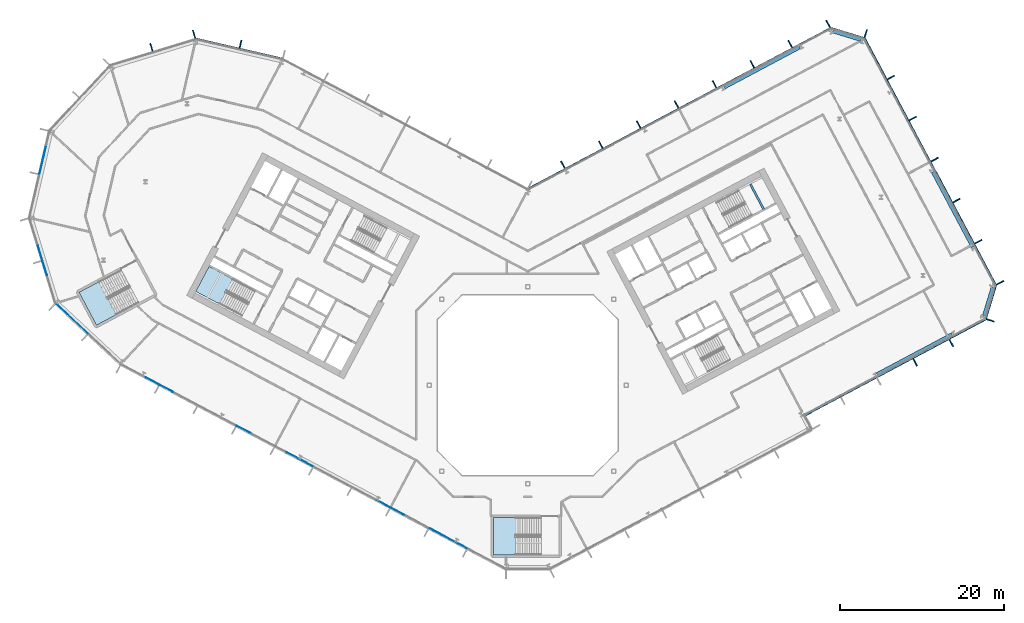
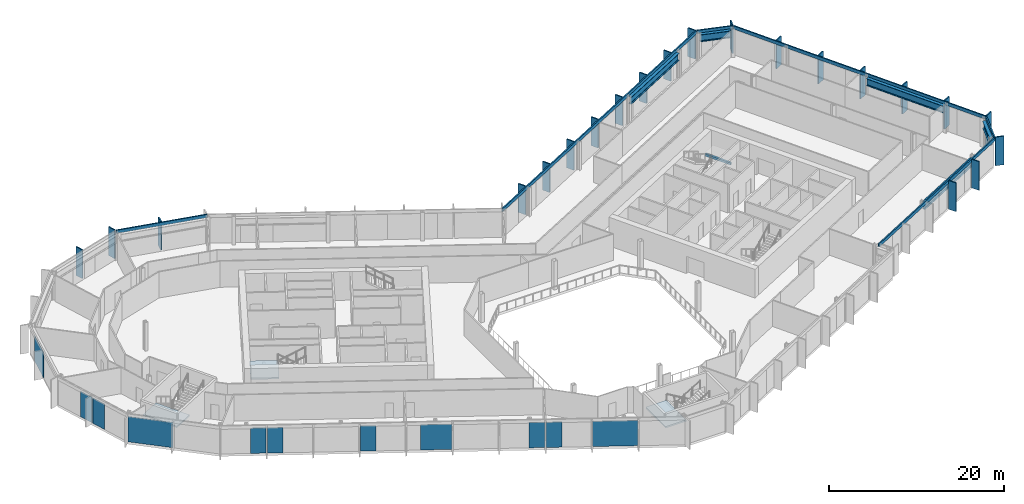
# One storey, part 10 of 28: 27 members, 11 plates, 6 beams, 3 slabs, 14 elements without a shape of their own.
"""IFC4 building model written with IfcOpenShell, lengths in metres."""

from ifc_helpers import new_model, si_unit, direction, frame, origin, origin_2d, place, context, subcontext, project, spatial, polyline, rectangle, i_section, outline, extrude, material, layer, layer_set, material_profile, profile_set, type_object, element, aggregate, save


model = new_model("IFC4")

# Units and contexts
model_context = context("Model", 3, precision=1e-05, world=origin(), true_north=direction((0.0, 1.0)))
body_context = subcontext(model_context, "Body", "Model", "MODEL_VIEW")
ifc_project = project(units=[si_unit("LENGTHUNIT", "METRE"), si_unit("AREAUNIT", "SQUARE_METRE"), si_unit("VOLUMEUNIT", "CUBIC_METRE"), si_unit("PLANEANGLEUNIT", "RADIAN"), si_unit("MASSUNIT", "GRAM", prefix="KILO")], contexts=[model_context])

# Site, building, storey
site_placement = place(None, origin())
site = spatial("IfcSite", under=ifc_project, at=site_placement, CompositionType="ELEMENT")
building_placement = place(site_placement, origin())
building = spatial("IfcBuilding", under=site, at=building_placement, Name="Cormorant Relay Tower", CompositionType="ELEMENT")
storey_placement = place(building_placement, frame((0.0, 0.0, 162.199951171875)))
storey = spatial("IfcBuildingStorey", under=building, at=storey_placement, Name="L34", CompositionType="ELEMENT", Elevation=162.199951171875)

# Curtain wall, members
ifc_material_1 = material(Name="Aluminium 6063-T6 anodised bronze", Category="aluminium")
ifc_layer_1 = layer(ifc_material_1, 0.199951171875)
ifc_layer_set_1 = layer_set([ifc_layer_1], Name="CW1 unitised bronze curtain wall with vertical fins")
curtain_wall_type = type_object("IfcCurtainWallType", Name="CW1 unitised bronze curtain wall with vertical fins", PredefinedType="NOTDEFINED", material=ifc_layer_set_1)
curtain_wall_1_placement = place(storey_placement, origin())
curtain_wall_1 = element("IfcCurtainWall", 1, at=curtain_wall_1_placement, inside=storey, type_object=curtain_wall_type, Name="CW1 curtain wall 4", PredefinedType="NOTDEFINED")
ifc_material_2 = material(Name="Aluminium 6063-T6 anodised bronze", Category="aluminium")
ifc_material_profile_1 = material_profile(ifc_material_2, rectangle(XDim=0.14990234375, YDim=1.0, at=origin_2d()), Name="AL 150x1000")
ifc_profile_set_1 = profile_set([ifc_material_profile_1], Name="Aluminium 6063-T6 anodised bronze")
member_type_1 = type_object("IfcMemberType", Name="CW1 bronze fin mullion 150 x 1000", PredefinedType="MULLION", material=ifc_profile_set_1)
member_1_placement = place(storey_placement, frame((47.21533203125, 2.793212890625, 0.0), z_axis=(0.0, 0.0, 1.0), x_axis=(0.882947592859, 0.469471562786, 0.0)))
member_1 = element("IfcMember", 2, at=member_1_placement, type_object=member_type_1, Name="CW1 fin 4.4", PredefinedType="MULLION", context=body_context, shape_type="SweptSolid", body=[
    extrude(rectangle(XDim=0.14990234375, YDim=1.0, at=origin_2d()), origin(), (0.0, 0.0, 1.0), 4.0),
])
member_2_placement = place(storey_placement, frame((51.630126953125, 5.140625, 0.0), z_axis=(0.0, 0.0, 1.0), x_axis=(0.882947592859, 0.469471562786, 0.0)))
member_2 = element("IfcMember", 3, at=member_2_placement, type_object=member_type_1, Name="CW1 fin 4.5", PredefinedType="MULLION", context=body_context, shape_type="SweptSolid", body=[
    extrude(rectangle(XDim=0.14990234375, YDim=1.0, at=origin_2d()), origin(), (0.0, 0.0, 1.0), 4.0),
])

# Curtain wall, member
curtain_wall_2_placement = place(storey_placement, origin())
curtain_wall_2 = element("IfcCurtainWall", 4, at=curtain_wall_2_placement, inside=storey, type_object=curtain_wall_type, Name="CW1 curtain wall 5", PredefinedType="NOTDEFINED")
member_3_placement = place(storey_placement, frame((56.385498046875, 7.9013671875, 0.0), z_axis=(0.0, 0.0, 1.0), x_axis=(0.292371704723, 0.956304755963, 0.0)))
member_3 = element("IfcMember", 5, at=member_3_placement, type_object=member_type_1, Name="CW1 fin 5.1", PredefinedType="MULLION", context=body_context, shape_type="SweptSolid", body=[
    extrude(rectangle(XDim=0.14990234375, YDim=1.0, at=origin_2d()), origin(), (0.0, 0.0, 1.0), 4.0),
])

# Curtain wall, members
curtain_wall_3_placement = place(storey_placement, origin())
curtain_wall_3 = element("IfcCurtainWall", 6, at=curtain_wall_3_placement, inside=storey, type_object=curtain_wall_type, Name="CW1 curtain wall 6", PredefinedType="NOTDEFINED")
member_4_placement = place(storey_placement, frame((57.57470703125, 12.491943359375, 0.0), z_axis=(0.0, 0.0, 1.0), x_axis=(-0.469471562786, 0.882947592859, 0.0)))
member_4 = element("IfcMember", 7, at=member_4_placement, type_object=member_type_1, Name="CW1 fin 6.1", PredefinedType="MULLION", context=body_context, shape_type="SweptSolid", body=[
    extrude(rectangle(XDim=0.14990234375, YDim=1.0, at=origin_2d()), origin(), (0.0, 0.0, 1.0), 4.0),
])
member_5_placement = place(storey_placement, frame((54.914306640625, 17.4951171875, 0.0), z_axis=(0.0, 0.0, 1.0), x_axis=(-0.469471562786, 0.882947592859, 0.0)))
member_5 = element("IfcMember", 8, at=member_5_placement, type_object=member_type_1, Name="CW1 fin 6.2", PredefinedType="MULLION", context=body_context, shape_type="SweptSolid", body=[
    extrude(rectangle(XDim=0.14990234375, YDim=1.0, at=origin_2d()), origin(), (0.0, 0.0, 1.0), 4.0),
])
member_6_placement = place(storey_placement, frame((52.25390625, 22.49853515625, 0.0), z_axis=(0.0, 0.0, 1.0), x_axis=(-0.469471562786, 0.882947592859, 0.0)))
member_6 = element("IfcMember", 9, at=member_6_placement, type_object=member_type_1, Name="CW1 fin 6.3", PredefinedType="MULLION", context=body_context, shape_type="SweptSolid", body=[
    extrude(rectangle(XDim=0.14990234375, YDim=1.0, at=origin_2d()), origin(), (0.0, 0.0, 1.0), 4.0),
])
member_7_placement = place(storey_placement, frame((49.59375, 27.501953125, 0.0), z_axis=(0.0, 0.0, 1.0), x_axis=(-0.469471562786, 0.882947592859, 0.0)))
member_7 = element("IfcMember", 10, at=member_7_placement, type_object=member_type_1, Name="CW1 fin 6.4", PredefinedType="MULLION", context=body_context, shape_type="SweptSolid", body=[
    extrude(rectangle(XDim=0.14990234375, YDim=1.0, at=origin_2d()), origin(), (0.0, 0.0, 1.0), 4.0),
])
member_8_placement = place(storey_placement, frame((46.933349609375, 32.50537109375, 0.0), z_axis=(0.0, 0.0, 1.0), x_axis=(-0.469471562786, 0.882947592859, 0.0)))
member_8 = element("IfcMember", 11, at=member_8_placement, type_object=member_type_1, Name="CW1 fin 6.5", PredefinedType="MULLION", context=body_context, shape_type="SweptSolid", body=[
    extrude(rectangle(XDim=0.14990234375, YDim=1.0, at=origin_2d()), origin(), (0.0, 0.0, 1.0), 4.0),
])
member_9_placement = place(storey_placement, frame((44.27294921875, 37.5087890625, 0.0), z_axis=(0.0, 0.0, 1.0), x_axis=(-0.469471562786, 0.882947592859, 0.0)))
member_9 = element("IfcMember", 12, at=member_9_placement, type_object=member_type_1, Name="CW1 fin 6.6", PredefinedType="MULLION", context=body_context, shape_type="SweptSolid", body=[
    extrude(rectangle(XDim=0.14990234375, YDim=1.0, at=origin_2d()), origin(), (0.0, 0.0, 1.0), 4.0),
])

# Curtain wall, member
curtain_wall_4_placement = place(storey_placement, origin())
curtain_wall_4 = element("IfcCurtainWall", 13, at=curtain_wall_4_placement, inside=storey, type_object=curtain_wall_type, Name="CW1 curtain wall 7", PredefinedType="NOTDEFINED")
member_10_placement = place(storey_placement, frame((41.19921875, 42.852783203125, 0.0), z_axis=(0.0, 0.0, 1.0), x_axis=(-0.956304755963, 0.292371704723, 0.0)))
member_10 = element("IfcMember", 14, at=member_10_placement, type_object=member_type_1, Name="CW1 fin 7.1", PredefinedType="MULLION", context=body_context, shape_type="SweptSolid", body=[
    extrude(rectangle(XDim=0.14990234375, YDim=1.0, at=origin_2d()), origin(), (0.0, 0.0, 1.0), 4.0),
])

# Curtain wall, members
curtain_wall_5_placement = place(storey_placement, origin())
curtain_wall_5 = element("IfcCurtainWall", 15, at=curtain_wall_5_placement, inside=storey, type_object=curtain_wall_type, Name="CW1 curtain wall 8", PredefinedType="NOTDEFINED")
member_11_placement = place(storey_placement, frame((36.608642578125, 44.0419921875, 0.0), z_axis=(0.0, 0.0, 1.0), x_axis=(-0.882947592859, -0.469471562786, 0.0)))
member_11 = element("IfcMember", 16, at=member_11_placement, type_object=member_type_1, Name="CW1 fin 8.1", PredefinedType="MULLION", context=body_context, shape_type="SweptSolid", body=[
    extrude(rectangle(XDim=0.14990234375, YDim=1.0, at=origin_2d()), origin(), (0.0, 0.0, 1.0), 4.0),
])
member_12_placement = place(storey_placement, frame((31.991455078125, 41.5869140625, 0.0), z_axis=(0.0, 0.0, 1.0), x_axis=(-0.882947592859, -0.469471562786, 0.0)))
member_12 = element("IfcMember", 17, at=member_12_placement, type_object=member_type_1, Name="CW1 fin 8.2", PredefinedType="MULLION", context=body_context, shape_type="SweptSolid", body=[
    extrude(rectangle(XDim=0.14990234375, YDim=1.0, at=origin_2d()), origin(), (0.0, 0.0, 1.0), 4.0),
])
member_13_placement = place(storey_placement, frame((27.37451171875, 39.132080078125, 0.0), z_axis=(0.0, 0.0, 1.0), x_axis=(-0.882947592859, -0.469471562786, 0.0)))
member_13 = element("IfcMember", 18, at=member_13_placement, type_object=member_type_1, Name="CW1 fin 8.3", PredefinedType="MULLION", context=body_context, shape_type="SweptSolid", body=[
    extrude(rectangle(XDim=0.14990234375, YDim=1.0, at=origin_2d()), origin(), (0.0, 0.0, 1.0), 4.0),
])
member_14_placement = place(storey_placement, frame((22.757080078125, 36.677001953125, 0.0), z_axis=(0.0, 0.0, 1.0), x_axis=(-0.882947592859, -0.469471562786, 0.0)))
member_14 = element("IfcMember", 19, at=member_14_placement, type_object=member_type_1, Name="CW1 fin 8.4", PredefinedType="MULLION", context=body_context, shape_type="SweptSolid", body=[
    extrude(rectangle(XDim=0.14990234375, YDim=1.0, at=origin_2d()), origin(), (0.0, 0.0, 1.0), 4.0),
])
member_15_placement = place(storey_placement, frame((18.139892578125, 34.221923828125, 0.0), z_axis=(0.0, 0.0, 1.0), x_axis=(-0.882947592859, -0.469471562786, 0.0)))
member_15 = element("IfcMember", 20, at=member_15_placement, type_object=member_type_1, Name="CW1 fin 8.5", PredefinedType="MULLION", context=body_context, shape_type="SweptSolid", body=[
    extrude(rectangle(XDim=0.14990234375, YDim=1.0, at=origin_2d()), origin(), (0.0, 0.0, 1.0), 4.0),
])
member_16_placement = place(storey_placement, frame((13.52294921875, 31.76708984375, 0.0), z_axis=(0.0, 0.0, 1.0), x_axis=(-0.882947592859, -0.469471562786, 0.0)))
member_16 = element("IfcMember", 21, at=member_16_placement, type_object=member_type_1, Name="CW1 fin 8.6", PredefinedType="MULLION", context=body_context, shape_type="SweptSolid", body=[
    extrude(rectangle(XDim=0.14990234375, YDim=1.0, at=origin_2d()), origin(), (0.0, 0.0, 1.0), 4.0),
])
member_17_placement = place(storey_placement, frame((8.90576171875, 29.31201171875, 0.0), z_axis=(0.0, 0.0, 1.0), x_axis=(-0.882947592859, -0.469471562786, 0.0)))
member_17 = element("IfcMember", 22, at=member_17_placement, type_object=member_type_1, Name="CW1 fin 8.7", PredefinedType="MULLION", context=body_context, shape_type="SweptSolid", body=[
    extrude(rectangle(XDim=0.14990234375, YDim=1.0, at=origin_2d()), origin(), (0.0, 0.0, 1.0), 4.0),
])
member_18_placement = place(storey_placement, frame((4.28857421875, 26.85693359375, 0.0), z_axis=(0.0, 0.0, 1.0), x_axis=(-0.882947592859, -0.469471562786, 0.0)))
member_18 = element("IfcMember", 23, at=member_18_placement, type_object=member_type_1, Name="CW1 fin 8.8", PredefinedType="MULLION", context=body_context, shape_type="SweptSolid", body=[
    extrude(rectangle(XDim=0.14990234375, YDim=1.0, at=origin_2d()), origin(), (0.0, 0.0, 1.0), 4.0),
])

# Curtain wall, member
curtain_wall_6_placement = place(storey_placement, origin())
curtain_wall_6 = element("IfcCurtainWall", 24, at=curtain_wall_6_placement, inside=storey, type_object=curtain_wall_type, Name="CW1 curtain wall 10", PredefinedType="NOTDEFINED")
member_19_placement = place(storey_placement, frame((-35.01220703125, 41.57275390625, 0.0), z_axis=(0.0, 0.0, 1.0), x_axis=(-0.974370064785, 0.224951054344, 0.0)))
member_19 = element("IfcMember", 25, at=member_19_placement, type_object=member_type_1, Name="CW1 fin 10.2", PredefinedType="MULLION", context=body_context, shape_type="SweptSolid", body=[
    extrude(rectangle(XDim=0.14990234375, YDim=1.0, at=origin_2d()), origin(), (0.0, 0.0, 1.0), 4.0),
])

# Curtain wall, members
curtain_wall_7_placement = place(storey_placement, origin())
curtain_wall_7 = element("IfcCurtainWall", 26, at=curtain_wall_7_placement, inside=storey, type_object=curtain_wall_type, Name="CW1 curtain wall 11", PredefinedType="NOTDEFINED")
member_20_placement = place(storey_placement, frame((-40.670166015625, 42.78271484375, 0.0), z_axis=(0.0, 0.0, 1.0), x_axis=(-0.956304755963, -0.292371704723, 0.0)))
member_20 = element("IfcMember", 27, at=member_20_placement, type_object=member_type_1, Name="CW1 fin 11.1", PredefinedType="MULLION", context=body_context, shape_type="SweptSolid", body=[
    extrude(rectangle(XDim=0.14990234375, YDim=1.0, at=origin_2d()), origin(), (0.0, 0.0, 1.0), 4.0),
])
member_21_placement = place(storey_placement, frame((-45.867919921875, 41.193603515625, 0.0), z_axis=(0.0, 0.0, 1.0), x_axis=(-0.956304755963, -0.292371704723, 0.0)))
member_21 = element("IfcMember", 28, at=member_21_placement, type_object=member_type_1, Name="CW1 fin 11.2", PredefinedType="MULLION", context=body_context, shape_type="SweptSolid", body=[
    extrude(rectangle(XDim=0.14990234375, YDim=1.0, at=origin_2d()), origin(), (0.0, 0.0, 1.0), 4.0),
])
aggregate(curtain_wall_7, [member_20, member_21])

# Member
ifc_material_3 = material(Name="Aluminium 6063-T6 anodised bronze", Category="aluminium")
ifc_material_profile_2 = material_profile(ifc_material_3, rectangle(XDim=0.159912109375, YDim=0.449951171875, at=origin_2d()), Name="AL 160x450")
ifc_profile_set_2 = profile_set([ifc_material_profile_2], Name="Aluminium 6063-T6 anodised bronze")
member_type_2 = type_object("IfcMemberType", Name="CW1 bronze transom 160 x 450", PredefinedType="USERDEFINED", material=ifc_profile_set_2)
member_22_placement = place(storey_placement, frame((33.69873046875, -3.73681640625, 3.775146484375), z_axis=(0.88294749795, 0.469471741284, 0.0), x_axis=(-0.469471741284, 0.88294749795, 0.0)))
member_22 = element("IfcMember", 29, at=member_22_placement, type_object=member_type_2, Name="CW1 transom 4", ObjectType="TRANSOM", PredefinedType="USERDEFINED", context=body_context, shape_type="SweptSolid", body=[
    extrude(rectangle(XDim=0.159912109375, YDim=0.449951171875, at=origin_2d()), origin(), (0.0, 0.0, 1.0), 25.0),
])

aggregate(curtain_wall_1, [member_1, member_2, member_22])

member_23_placement = place(storey_placement, frame((55.830810546875, 8.07080078125, 3.775146484375), z_axis=(0.292374957137, 0.956303761594, 0.0), x_axis=(-0.956303761594, 0.292374957137, 0.0)))
member_23 = element("IfcMember", 30, at=member_23_placement, type_object=member_type_2, Name="CW1 transom 5", ObjectType="TRANSOM", PredefinedType="USERDEFINED", context=body_context, shape_type="SweptSolid", body=[
    extrude(rectangle(XDim=0.159912109375, YDim=0.449951171875, at=origin_2d()), origin(), (0.0, 0.0, 1.0), 4.24267578125),
])

aggregate(curtain_wall_2, [member_3, member_23])

member_24_placement = place(storey_placement, frame((57.0625, 12.219482421875, 3.775146484375), z_axis=(-0.469468277635, 0.882949339597, 0.0), x_axis=(-0.882949339597, -0.469468277635, 0.0)))
member_24 = element("IfcMember", 31, at=member_24_placement, type_object=member_type_2, Name="CW1 transom 6", ObjectType="TRANSOM", PredefinedType="USERDEFINED", context=body_context, shape_type="SweptSolid", body=[
    extrude(rectangle(XDim=0.159912109375, YDim=0.449951171875, at=origin_2d()), origin(), (0.0, 0.0, 1.0), 34.0),
])

aggregate(curtain_wall_3, [member_4, member_5, member_6, member_7, member_8, member_9, member_24])

member_25_placement = place(storey_placement, frame((41.02978515625, 42.298095703125, 3.775146484375), z_axis=(-0.956303761594, 0.292374957137, 0.0), x_axis=(-0.292374957137, -0.956303761594, 0.0)))
member_25 = element("IfcMember", 32, at=member_25_placement, type_object=member_type_2, Name="CW1 transom 7", ObjectType="TRANSOM", PredefinedType="USERDEFINED", context=body_context, shape_type="SweptSolid", body=[
    extrude(rectangle(XDim=0.159912109375, YDim=0.449951171875, at=origin_2d()), origin(), (0.0, 0.0, 1.0), 4.24267578125),
])

aggregate(curtain_wall_4, [member_10, member_25])

member_26_placement = place(storey_placement, frame((36.881103515625, 43.52978515625, 3.775146484375), z_axis=(-0.88294882701, -0.469469241677, 0.0), x_axis=(0.469469241677, -0.88294882701, 0.0)))
member_26 = element("IfcMember", 33, at=member_26_placement, type_object=member_type_2, Name="CW1 transom 8", ObjectType="TRANSOM", PredefinedType="USERDEFINED", context=body_context, shape_type="SweptSolid", body=[
    extrude(rectangle(XDim=0.159912109375, YDim=0.449951171875, at=origin_2d()), origin(), (0.0, 0.0, 1.0), 41.834228515625),
])

aggregate(curtain_wall_5, [member_11, member_12, member_13, member_14, member_15, member_16, member_17, member_18, member_26])

member_27_placement = place(storey_placement, frame((-29.8466796875, 39.784912109375, 3.775146484375), z_axis=(-0.974365070969, 0.224972683844, 0.0), x_axis=(-0.224972683844, -0.974365070969, 0.0)))
member_27 = element("IfcMember", 34, at=member_27_placement, type_object=member_type_2, Name="CW1 transom 10", ObjectType="TRANSOM", PredefinedType="USERDEFINED", context=body_context, shape_type="SweptSolid", body=[
    extrude(rectangle(XDim=0.159912109375, YDim=0.449951171875, at=origin_2d()), origin(), (0.0, 0.0, 1.0), 10.870361328125),
])

aggregate(curtain_wall_6, [member_19, member_27])

# Beams
ifc_material_4 = material(Name="Steel ASTM A992 (Fy 345 MPa)", Category="steel")
ifc_material_profile_3 = material_profile(ifc_material_4, i_section(OverallWidth=0.4013671875, OverallDepth=1.000732421875, WebThickness=0.01904296875, FlangeThickness=0.0361328125, FilletRadius=0.02978515625, at=origin_2d()), Name="W1000x371")
ifc_profile_set_3 = profile_set([ifc_material_profile_3], Name="Steel ASTM A992 (Fy 345 MPa)")
beam_type_1 = type_object("IfcBeamType", Name="Spandrel W1000x371", PredefinedType="SPANDREL", material=ifc_profile_set_3)
beam_1_placement = place(storey_placement, frame((42.5595703125, 1.337890625, 3.1396484375), z_axis=(0.882955922346, 0.469455896963, 0.0), x_axis=(-0.469455896963, 0.882955922346, 0.0)))
element("IfcBeam", 35, at=beam_1_placement, inside=storey, type_object=beam_type_1, Name="Spandrel beam L34-004", PredefinedType="SPANDREL", context=body_context, shape_type="SweptSolid", body=[
    extrude(i_section(OverallWidth=0.4013671875, OverallDepth=1.000732421875, WebThickness=0.01904296875, FlangeThickness=0.0361328125, FilletRadius=0.02978515625, at=origin_2d()), origin(), (0.0, 0.0, 1.0), 10.388427734375),
])
beam_2_placement = place(storey_placement, frame((55.62548828125, 8.495849609375, 3.1396484375), z_axis=(0.29237248799, 0.956304516494, 0.0), x_axis=(-0.956304516494, 0.29237248799, 0.0)))
element("IfcBeam", 36, at=beam_2_placement, inside=storey, type_object=beam_type_1, Name="Spandrel beam L34-005", PredefinedType="SPANDREL", context=body_context, shape_type="SweptSolid", body=[
    extrude(i_section(OverallWidth=0.4013671875, OverallDepth=1.000732421875, WebThickness=0.01904296875, FlangeThickness=0.0361328125, FilletRadius=0.02978515625, at=origin_2d()), origin(), (0.0, 0.0, 1.0), 3.585693359375),
])
beam_3_placement = place(storey_placement, frame((54.24169921875, 16.841796875, 3.1396484375), z_axis=(-0.469474218299, 0.882946180893, 0.0), x_axis=(-0.882946180893, -0.469474218299, 0.0)))
element("IfcBeam", 37, at=beam_3_placement, inside=storey, type_object=beam_type_1, Name="Spandrel beam L34-006", PredefinedType="SPANDREL", context=body_context, shape_type="SweptSolid", body=[
    extrude(i_section(OverallWidth=0.4013671875, OverallDepth=1.000732421875, WebThickness=0.01904296875, FlangeThickness=0.0361328125, FilletRadius=0.02978515625, at=origin_2d()), origin(), (0.0, 0.0, 1.0), 10.388671875),
])
beam_4_placement = place(storey_placement, frame((40.605224609375, 42.0927734375, 3.1396484375), z_axis=(-0.956311914022, 0.292348290742, 0.0), x_axis=(-0.292348290742, -0.956311914022, 0.0)))
element("IfcBeam", 38, at=beam_4_placement, inside=storey, type_object=beam_type_1, Name="Spandrel beam L34-007", PredefinedType="SPANDREL", context=body_context, shape_type="SweptSolid", body=[
    extrude(i_section(OverallWidth=0.4013671875, OverallDepth=1.000732421875, WebThickness=0.01904296875, FlangeThickness=0.0361328125, FilletRadius=0.02978515625, at=origin_2d()), origin(), (0.0, 0.0, 1.0), 3.585205078125),
])
beam_5_placement = place(storey_placement, frame((33.141357421875, 41.17822265625, 3.1396484375), z_axis=(-0.882955922346, -0.469455896963, 0.0), x_axis=(0.469455896963, -0.882955922346, 0.0)))
element("IfcBeam", 39, at=beam_5_placement, inside=storey, type_object=beam_type_1, Name="Spandrel beam L34-008", PredefinedType="SPANDREL", context=body_context, shape_type="SweptSolid", body=[
    extrude(i_section(OverallWidth=0.4013671875, OverallDepth=1.000732421875, WebThickness=0.01904296875, FlangeThickness=0.0361328125, FilletRadius=0.02978515625, at=origin_2d()), origin(), (0.0, 0.0, 1.0), 10.388427734375),
])
ifc_material_5 = material(Name="Concrete 50 MPa", Category="concrete")
ifc_material_profile_4 = material_profile(ifc_material_5, rectangle(XDim=0.25, YDim=0.300048828125, at=origin_2d()), Name="RC 250x300")
ifc_profile_set_4 = profile_set([ifc_material_profile_4], Name="Concrete 50 MPa")
beam_type_2 = type_object("IfcBeamType", Name="Stair landing ledge beam 250x300", PredefinedType="BEAM", material=ifc_profile_set_4)
beam_6_placement = place(storey_placement, frame((28.755126953125, 21.4619140625, 1.650146484375), z_axis=(-0.469463917486, 0.882951657895, 0.0), x_axis=(-0.882951657895, -0.469463917486, 0.0)))
element("IfcBeam", 40, at=beam_6_placement, inside=storey, type_object=beam_type_2, Name="B2 landing ledge beam", PredefinedType="BEAM", context=body_context, shape_type="SweptSolid", body=[
    extrude(rectangle(XDim=0.25, YDim=0.300048828125, at=origin_2d()), origin(), (0.0, 0.0, 1.0), 3.449951171875),
])

# Curtain wall, plates
curtain_wall_8_placement = place(storey_placement, origin())
curtain_wall_8 = element("IfcCurtainWall", 41, at=curtain_wall_8_placement, inside=storey, type_object=curtain_wall_type, Name="CW1 curtain wall 14", PredefinedType="NOTDEFINED")
ifc_material_6 = material(Name="Tinted laminated glass", Category="glass")
ifc_layer_2 = layer(ifc_material_6, 0.0400390625)
ifc_layer_set_2 = layer_set([ifc_layer_2], Name="CW1 tinted vision panel 1800 module")
plate_type_1 = type_object("IfcPlateType", Name="CW1 tinted vision panel 1800 module", PredefinedType="CURTAIN_PANEL", material=ifc_layer_set_2)
plate_1_placement = place(storey_placement, frame((-59.434814453125, 16.122314453125, 0.0), z_axis=(0.0, 0.0, 1.0), x_axis=(0.292371704723, -0.956304755963, 0.0)))
plate_1 = element("IfcPlate", 42, at=plate_1_placement, type_object=plate_type_1, Name="CW1 panel V01", PredefinedType="CURTAIN_PANEL", context=body_context, shape_type="SweptSolid", body=[
    extrude(rectangle(XDim=1.800048828125, YDim=0.0400390625, at=origin_2d()), origin(), (0.0, 0.0, 1.0), 3.550048828125),
])
plate_2_placement = place(storey_placement, frame((-58.86474609375, 14.25732421875, 0.0), z_axis=(0.0, 0.0, 1.0), x_axis=(0.292371704723, -0.956304755963, 0.0)))
plate_2 = element("IfcPlate", 43, at=plate_2_placement, type_object=plate_type_1, Name="CW1 panel V02", PredefinedType="CURTAIN_PANEL", context=body_context, shape_type="SweptSolid", body=[
    extrude(rectangle(XDim=1.800048828125, YDim=0.0400390625, at=origin_2d()), origin(), (0.0, 0.0, 1.0), 3.550048828125),
])
aggregate(curtain_wall_8, [plate_1, plate_2])

curtain_wall_9_placement = place(storey_placement, origin())
curtain_wall_9 = element("IfcCurtainWall", 44, at=curtain_wall_9_placement, inside=storey, type_object=curtain_wall_type, Name="CW1 curtain wall 16", PredefinedType="NOTDEFINED")
plate_3_placement = place(storey_placement, frame((-45.767578125, 0.5283203125, 0.0), z_axis=(0.0, 0.0, 1.0), x_axis=(0.882947592859, -0.469471562786, 0.0)))
plate_3 = element("IfcPlate", 45, at=plate_3_placement, type_object=plate_type_1, Name="CW1 panel V01", PredefinedType="CURTAIN_PANEL", context=body_context, shape_type="SweptSolid", body=[
    extrude(rectangle(XDim=1.800048828125, YDim=0.0400390625, at=origin_2d()), origin(), (0.0, 0.0, 1.0), 3.550048828125),
])
plate_4_placement = place(storey_placement, frame((-44.0458984375, -0.38720703125, 0.0), z_axis=(0.0, 0.0, 1.0), x_axis=(0.882947592859, -0.469471562786, 0.0)))
plate_4 = element("IfcPlate", 46, at=plate_4_placement, type_object=plate_type_1, Name="CW1 panel V02", PredefinedType="CURTAIN_PANEL", context=body_context, shape_type="SweptSolid", body=[
    extrude(rectangle(XDim=1.800048828125, YDim=0.0400390625, at=origin_2d()), origin(), (0.0, 0.0, 1.0), 3.550048828125),
])
plate_5_placement = place(storey_placement, frame((-34.6572265625, -5.37890625, 0.0), z_axis=(0.0, 0.0, 1.0), x_axis=(0.882947592859, -0.469471562786, 0.0)))
plate_5 = element("IfcPlate", 47, at=plate_5_placement, type_object=plate_type_1, Name="CW1 panel V04", PredefinedType="CURTAIN_PANEL", context=body_context, shape_type="SweptSolid", body=[
    extrude(rectangle(XDim=1.800048828125, YDim=0.0400390625, at=origin_2d()), origin(), (0.0, 0.0, 1.0), 3.550048828125),
])
plate_6_placement = place(storey_placement, frame((-17.601806640625, -14.447509765625, 0.0), z_axis=(0.0, 0.0, 1.0), x_axis=(0.882947592859, -0.469471562786, 0.0)))
plate_6 = element("IfcPlate", 48, at=plate_6_placement, type_object=plate_type_1, Name="CW1 panel V08", PredefinedType="CURTAIN_PANEL", context=body_context, shape_type="SweptSolid", body=[
    extrude(rectangle(XDim=1.800048828125, YDim=0.0400390625, at=origin_2d()), origin(), (0.0, 0.0, 1.0), 3.550048828125),
])
plate_7_placement = place(storey_placement, frame((-15.880126953125, -15.363037109375, 0.0), z_axis=(0.0, 0.0, 1.0), x_axis=(0.882947592859, -0.469471562786, 0.0)))
plate_7 = element("IfcPlate", 49, at=plate_7_placement, type_object=plate_type_1, Name="CW1 panel V09", PredefinedType="CURTAIN_PANEL", context=body_context, shape_type="SweptSolid", body=[
    extrude(rectangle(XDim=1.800048828125, YDim=0.0400390625, at=origin_2d()), origin(), (0.0, 0.0, 1.0), 3.550048828125),
])

# Curtain wall, plate
curtain_wall_10_placement = place(storey_placement, origin())
curtain_wall_10 = element("IfcCurtainWall", 50, at=curtain_wall_10_placement, inside=storey, type_object=curtain_wall_type, Name="CW1 curtain wall 13", PredefinedType="NOTDEFINED")
ifc_material_7 = material(Name="Tinted laminated glass", Category="glass")
ifc_layer_3 = layer(ifc_material_7, 0.0400390625)
ifc_layer_set_3 = layer_set([ifc_layer_3], Name="CW1 tinted vision panel 3600 module")
plate_type_2 = type_object("IfcPlateType", Name="CW1 tinted vision panel 3600 module", PredefinedType="CURTAIN_PANEL", material=ifc_layer_set_3)
plate_8_placement = place(storey_placement, frame((-59.094970703125, 27.520751953125, 0.0), z_axis=(0.0, 0.0, 1.0), x_axis=(-0.224951054344, -0.974370064785, 0.0)))
plate_8 = element("IfcPlate", 51, at=plate_8_placement, type_object=plate_type_2, Name="CW1 panel V01", PredefinedType="CURTAIN_PANEL", context=body_context, shape_type="SweptSolid", body=[
    extrude(rectangle(XDim=3.60009765625, YDim=0.0400390625, at=origin_2d()), origin(), (0.0, 0.0, 1.0), 3.550048828125),
])
aggregate(curtain_wall_10, [plate_8])

# Plate
plate_9_placement = place(storey_placement, frame((-27.78515625, -9.032958984375, 0.0), z_axis=(0.0, 0.0, 1.0), x_axis=(0.882947592859, -0.469471562786, 0.0)))
plate_9 = element("IfcPlate", 52, at=plate_9_placement, type_object=plate_type_2, Name="CW1 panel V06", PredefinedType="CURTAIN_PANEL", context=body_context, shape_type="SweptSolid", body=[
    extrude(rectangle(XDim=3.60009765625, YDim=0.0400390625, at=origin_2d()), origin(), (0.0, 0.0, 1.0), 3.550048828125),
])

# Curtain wall, plate
curtain_wall_11_placement = place(storey_placement, origin())
curtain_wall_11 = element("IfcCurtainWall", 53, at=curtain_wall_11_placement, inside=storey, type_object=curtain_wall_type, Name="CW1 curtain wall 15", PredefinedType="NOTDEFINED")
ifc_material_8 = material(Name="Tinted laminated glass", Category="glass")
ifc_layer_4 = layer(ifc_material_8, 0.0400390625)
ifc_layer_set_4 = layer_set([ifc_layer_4], Name="CW1 tinted vision panel 5400 module")
plate_type_3 = type_object("IfcPlateType", Name="CW1 tinted vision panel 5400 module", PredefinedType="CURTAIN_PANEL", material=ifc_layer_set_4)
plate_10_placement = place(storey_placement, frame((-55.56787109375, 8.1298828125, 0.0), z_axis=(0.0, 0.0, 1.0), x_axis=(0.731353701619, -0.681998360062, 0.0)))
plate_10 = element("IfcPlate", 54, at=plate_10_placement, type_object=plate_type_3, Name="CW1 panel V00", PredefinedType="CURTAIN_PANEL", context=body_context, shape_type="SweptSolid", body=[
    extrude(rectangle(XDim=5.28515625, YDim=0.0400390625, at=origin_2d()), origin(), (0.0, 0.0, 1.0), 3.550048828125),
])
aggregate(curtain_wall_11, [plate_10])

# Plate
plate_11_placement = place(storey_placement, frame((-9.69970703125, -18.649169921875, 0.0), z_axis=(0.0, 0.0, 1.0), x_axis=(0.882947592859, -0.469471562786, 0.0)))
plate_11 = element("IfcPlate", 55, at=plate_11_placement, type_object=plate_type_3, Name="CW1 panel V11", PredefinedType="CURTAIN_PANEL", context=body_context, shape_type="SweptSolid", body=[
    extrude(rectangle(XDim=5.16650390625, YDim=0.0400390625, at=origin_2d()), origin(), (0.0, 0.0, 1.0), 3.550048828125),
])

aggregate(curtain_wall_9, [plate_3, plate_4, plate_5, plate_9, plate_6, plate_7, plate_11])

# Stair, slab
ifc_material_9 = material(Name="Concrete 40 MPa", Category="concrete")
stair_type_1 = type_object("IfcStairType", Name="Exit stair 1500", PredefinedType="HALF_TURN_STAIR", material=ifc_material_9)
stair_1_placement = place(storey_placement, origin())
stair_1 = element("IfcStair", 56, at=stair_1_placement, inside=storey, type_object=stair_type_1, Name="L34 Stair", PredefinedType="HALF_TURN_STAIR")
ifc_material_10 = material(Name="Concrete 40 MPa", Category="concrete")
ifc_layer_5 = layer(ifc_material_10, 0.199951171875)
ifc_layer_set_5 = layer_set([ifc_layer_5], Name="Exit stair landing 200")
slab_type = type_object("IfcSlabType", Name="Exit stair landing 200", PredefinedType="LANDING", material=ifc_layer_set_5)
slab_1_placement = place(storey_placement, frame((0.0, 0.0, 1.800048828125)))
slab_1 = element("IfcSlab", 57, at=slab_1_placement, type_object=slab_type, Name="A2 landing 1", PredefinedType="LANDING", context=body_context, shape_type="SweptSolid", body=[
    extrude(outline(polyline([(-35.96044921875, 12.947998046875), (-38.84765625, 14.483154296875), (-40.467529296875, 11.43701171875), (-37.580322265625, 9.90185546875), (-35.96044921875, 12.947998046875)])), origin(), (0.0, 0.0, 1.0), 0.199951171875),
])
aggregate(stair_1, [slab_1])

ifc_material_11 = material(Name="Concrete 40 MPa", Category="concrete")
stair_type_2 = type_object("IfcStairType", Name="Remote exit stair 2200", PredefinedType="HALF_TURN_STAIR", material=ifc_material_11)
stair_2_placement = place(storey_placement, origin())
stair_2 = element("IfcStair", 58, at=stair_2_placement, inside=storey, type_object=stair_type_2, Name="L34 Stair", PredefinedType="HALF_TURN_STAIR")
slab_2_placement = place(storey_placement, frame((0.0, 0.0, 1.800048828125)))
slab_2 = element("IfcSlab", 59, at=slab_2_placement, type_object=slab_type, Name="RK1 landing 1", PredefinedType="LANDING", context=body_context, shape_type="SweptSolid", body=[
    extrude(outline(polyline([(-1.47998046875, -16.125), (-4.199951171875, -16.125), (-4.199951171875, -20.675048828125), (-1.47998046875, -20.675048828125), (-1.47998046875, -16.125)])), origin(), (0.0, 0.0, 1.0), 0.199951171875),
])
aggregate(stair_2, [slab_2])

stair_3_placement = place(storey_placement, origin())
stair_3 = element("IfcStair", 60, at=stair_3_placement, inside=storey, type_object=stair_type_2, Name="L34 Stair", PredefinedType="HALF_TURN_STAIR")
slab_3_placement = place(storey_placement, frame((0.0, 0.0, 1.800048828125)))
slab_3 = element("IfcSlab", 61, at=slab_3_placement, type_object=slab_type, Name="RP1 landing 1", PredefinedType="LANDING", context=body_context, shape_type="SweptSolid", body=[
    extrude(outline(polyline([(-52.29833984375, 12.607666015625), (-54.699951171875, 11.330810546875), (-52.563720703125, 7.3134765625), (-50.162109375, 8.59033203125), (-52.29833984375, 12.607666015625)])), origin(), (0.0, 0.0, 1.0), 0.199951171875),
])
aggregate(stair_3, [slab_3])

save(model, "model.ifc")
